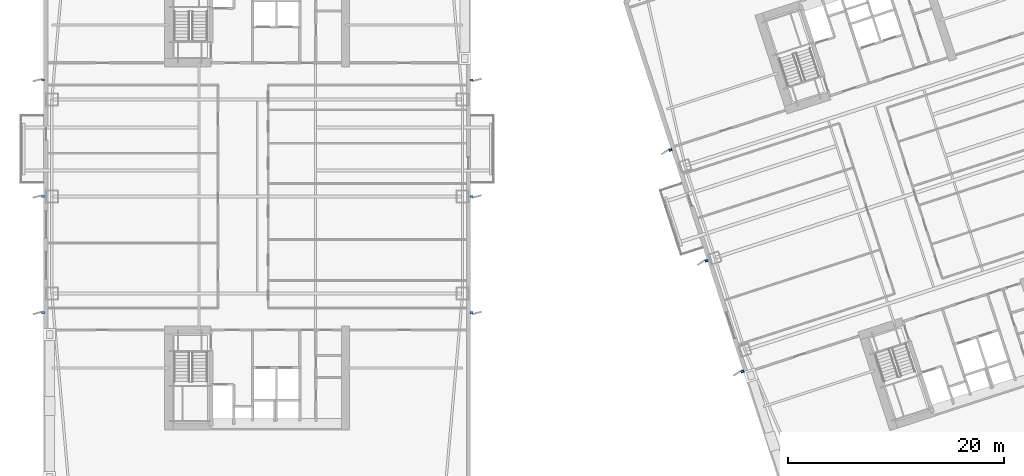
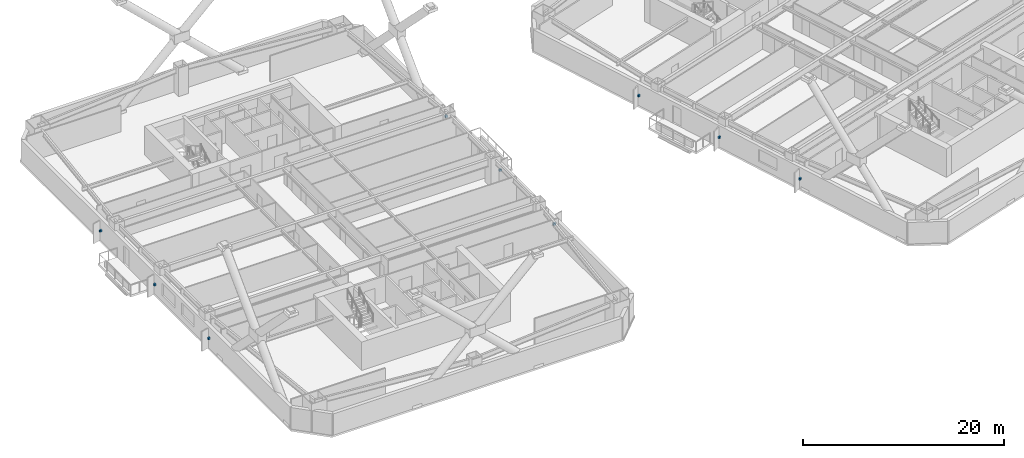
# One storey, part 11 of 18: 9 discrete accessories.
"""IFC4 building model written with IfcOpenShell, lengths in metres."""

import ifcopenshell
import ifcopenshell.guid

model = None  # the IFC model being written
_history = None  # IfcOwnerHistory: only IFC2X3 demands one
_inside = {}  # id of a spatial element -> (the spatial element, [elements in it])
_under = {}  # id of a project, library or spatial element -> (it, [spatial elements below it])
_declared = {}  # id of a project -> (the project, [libraries it declares])
_typed = {}  # id of a type object -> (the type object, [elements of that type])
_made_of = {}  # id of a material, layer set ... -> (it, [elements and type objects made of it])


def new_model(schema):
    """Start an empty IFC model of exactly this schema.

    Asked for "IFC4X3", IfcOpenShell would pick the latest addendum, in which some entities
    have other attributes; the version numbers below select the first issue.
    IFC2X3 requires an IfcOwnerHistory on every rooted entity: one is made here for all.
    """
    global model, _history
    if schema == "IFC4X3":
        model = ifcopenshell.file(schema_version=(4, 3, 0, 0))
    else:
        model = ifcopenshell.file(schema=schema)
    _inside.clear()
    _under.clear()
    _declared.clear()
    _typed.clear()
    _made_of.clear()
    _history = None
    if model.schema == "IFC2X3":
        org = make("IfcOrganization", Name="unknown")
        user = make(
            "IfcPersonAndOrganization",
            ThePerson=make("IfcPerson", FamilyName="unknown"),
            TheOrganization=org,
        )
        app = make(
            "IfcApplication",
            ApplicationDeveloper=org,
            Version="unknown",
            ApplicationFullName="unknown",
            ApplicationIdentifier="unknown",
        )
        _history = make(
            "IfcOwnerHistory",
            OwningUser=user,
            OwningApplication=app,
            ChangeAction="ADDED",
            CreationDate=0,
        )
    return model


def make(cls, **values):
    """One entity of the class cls with the attributes given. An attribute that is None is left unset."""
    return model.create_entity(
        cls, **{name: value for name, value in values.items() if value is not None}
    )


def rooted(cls, **values):
    """An entity with a GlobalId (a new one), such as an element, a storey or a relation."""
    return make(cls, GlobalId=ifcopenshell.guid.new(), OwnerHistory=_history, **values)


def si_unit(unit_type, name, prefix=None):
    """IfcSIUnit, for example si_unit("LENGTHUNIT", "METRE", prefix="MILLI")."""
    return make("IfcSIUnit", UnitType=unit_type, Prefix=prefix, Name=name)


def assignment(units):
    """IfcUnitAssignment: the units of a project."""
    return None if units is None else make("IfcUnitAssignment", Units=units)


def point(xyz):
    """IfcCartesianPoint."""
    return None if xyz is None else make("IfcCartesianPoint", Coordinates=xyz)


def direction(xyz):
    """IfcDirection."""
    return None if xyz is None else make("IfcDirection", DirectionRatios=xyz)


def frame(location, z_axis=None, x_axis=None):
    """IfcAxis2Placement3D, a coordinate frame: its origin and axes. An axis left out is left unset."""
    return make(
        "IfcAxis2Placement3D",
        Location=point(location),
        Axis=direction(z_axis),
        RefDirection=direction(x_axis),
    )


def frame_2d(location, x_axis=None):
    """IfcAxis2Placement2D, a coordinate frame in the plane: its origin and x axis."""
    return make(
        "IfcAxis2Placement2D", Location=point(location), RefDirection=direction(x_axis)
    )


def origin():
    """The frame at (0, 0, 0) with its axes left unset."""
    return frame((0.0, 0.0, 0.0))


def origin_2d():
    """The frame at (0, 0) in the plane with its x axis left unset."""
    return frame_2d((0.0, 0.0))


def place(relative_to, where):
    """IfcLocalPlacement: puts the frame where relative to a parent placement (None: the world)."""
    return make(
        "IfcLocalPlacement", PlacementRelTo=relative_to, RelativePlacement=where
    )


def context(
    kind, dimensions, precision=None, world=None, true_north=None, identifier=None
):
    """IfcGeometricRepresentationContext, for example the 3D "Model" context."""
    return make(
        "IfcGeometricRepresentationContext",
        ContextIdentifier=identifier,
        ContextType=kind,
        CoordinateSpaceDimension=dimensions,
        Precision=precision,
        WorldCoordinateSystem=world,
        TrueNorth=true_north,
    )


def subcontext(parent, identifier, kind, view, scale=None):
    """IfcGeometricRepresentationSubContext, for example "Body" below "Model"."""
    return make(
        "IfcGeometricRepresentationSubContext",
        ContextIdentifier=identifier,
        ContextType=kind,
        ParentContext=parent,
        TargetScale=scale,
        TargetView=view,
    )


def project(units=None, contexts=None):
    """IfcProject with its units and contexts."""
    return rooted(
        "IfcProject",
        Name="project",
        RepresentationContexts=contexts,
        UnitsInContext=assignment(units),
    )


def spatial(cls, under=None, at=None, **own):
    """A site, building, storey or space (cls), placed at a placement, below another one or the project."""
    s = rooted(cls, ObjectPlacement=at, **own)
    if under is not None:
        _under.setdefault(under.id(), (under, []))[1].append(s)
    return s


def profile(cls, at=None, kind="AREA", **sizes):
    """A parametric profile (cls). Its sizes go by their IFC names, for example OverallWidth=200.0."""
    return make(cls, ProfileType=kind, Position=at, **sizes)


def rectangle(**sizes):
    """IfcRectangleProfileDef."""
    return profile("IfcRectangleProfileDef", **sizes)


def extrude(swept, where, along, depth):
    """IfcExtrudedAreaSolid: the profile swept, set in the frame where, extruded along a direction by depth."""
    return make(
        "IfcExtrudedAreaSolid",
        SweptArea=swept,
        Position=where,
        ExtrudedDirection=direction(along),
        Depth=depth,
    )


def shape(context_of_items, identifier, shape_type, items):
    """IfcShapeRepresentation: the items that make up one representation, for example the "Body"."""
    return make(
        "IfcShapeRepresentation",
        ContextOfItems=context_of_items,
        RepresentationIdentifier=identifier,
        RepresentationType=shape_type,
        Items=items,
    )


def material(Name=None, Category=None):
    """IfcMaterial."""
    return make("IfcMaterial", Name=Name, Category=Category)


def made_of(thing, what):
    """Note that an element or type object is made of a material, layer set ...; save() writes the relation."""
    if what is not None:
        _made_of.setdefault(what.id(), (what, []))[1].append(thing)
    return thing


def type_object(cls, material=None, **own):
    """A type object (cls), such as IfcWallType, which elements share."""
    return made_of(rooted(cls, **own), material)


def element(
    cls,
    number,
    at=None,
    inside=None,
    cuts=None,
    type_object=None,
    material=None,
    context=None,
    identifier="Body",
    shape_type=None,
    held_by="IfcProductDefinitionShape",
    body=None,
    shapes=None,
    **own,
):
    """One element of the class cls, such as IfcWall. Its Tag is "e" and its number.

    at: its placement. inside: the storey or other place that contains it. cuts: it is an
    opening in that element (IfcRelVoidsElement). A single representation is given by context,
    identifier, shape_type and body (its items); several are given by shapes. held_by: the class
    of the entity that holds the representations. save() writes the other relations.
    """
    e = rooted(cls, Tag="e%d" % number, ObjectPlacement=at, **own)
    if body is not None:
        shapes = [shape(context, identifier, shape_type, body)]
    if shapes is not None:
        e.Representation = make(held_by, Representations=shapes)
    if inside is not None:
        _inside.setdefault(inside.id(), (inside, []))[1].append(e)
    if cuts is not None:
        rooted(
            "IfcRelVoidsElement", RelatingBuildingElement=cuts, RelatedOpeningElement=e
        )
    if type_object is not None:
        _typed.setdefault(type_object.id(), (type_object, []))[1].append(e)
    return made_of(e, material)


def aggregate(whole, parts):
    """IfcRelAggregates: a whole, such as a stair, and the parts it consists of."""
    return rooted("IfcRelAggregates", RelatingObject=whole, RelatedObjects=parts)


def save(model, path):
    """Write the relations noted so far, then the file.

    IfcRelAggregates (storeys below a building ...), IfcRelContainedInSpatialStructure (elements
    in a storey), IfcRelDefinesByType, IfcRelAssociatesMaterial and IfcRelDeclares: one each for
    every whole, place, type object, material and project.
    """
    for whole, parts in _under.values():
        aggregate(whole, parts)
    for where, things in _inside.values():
        rooted(
            "IfcRelContainedInSpatialStructure",
            RelatedElements=things,
            RelatingStructure=where,
        )
    for kind, things in _typed.values():
        rooted("IfcRelDefinesByType", RelatedObjects=things, RelatingType=kind)
    for what, things in _made_of.values():
        rooted("IfcRelAssociatesMaterial", RelatedObjects=things, RelatingMaterial=what)
    for by, libraries in _declared.values():
        rooted("IfcRelDeclares", RelatingContext=by, RelatedDefinitions=libraries)
    model.write(path)


model = new_model("IFC4")

# Units and contexts
model_context = context("Model", 3, precision=1e-05, world=origin(), true_north=direction((0.0, 1.0)))
body_context = subcontext(model_context, "Body", "Model", "MODEL_VIEW")
ifc_project = project(units=[si_unit("LENGTHUNIT", "METRE"), si_unit("AREAUNIT", "SQUARE_METRE"), si_unit("VOLUMEUNIT", "CUBIC_METRE"), si_unit("PLANEANGLEUNIT", "RADIAN"), si_unit("MASSUNIT", "GRAM", prefix="KILO")], contexts=[model_context])

# Site, building, storey
site_placement = place(None, origin())
site = spatial("IfcSite", under=ifc_project, at=site_placement, CompositionType="ELEMENT")
building_placement = place(site_placement, origin())
building = spatial("IfcBuilding", under=site, at=building_placement, Name="Qiaolan Cultural Towers", CompositionType="ELEMENT")
storey_placement = place(building_placement, frame((0.0, 0.0, 57.5)))
storey = spatial("IfcBuildingStorey", under=building, at=storey_placement, Name="L13", CompositionType="ELEMENT", Elevation=57.5)

# Discrete accessories
ifc_material = material(Name="Stainless Steel S31608 Facade Anchor Bracket", Category="steel")
discrete_accessory_type = type_object("IfcDiscreteAccessoryType", Name="ACC-BRK-SS", PredefinedType="BRACKET", material=ifc_material)
for number, where, z_axis, x_axis, name in (
    (1, (10.1201171875, 23.199951171875, 1.18505859375), (0.0, 0.0, 1.0), (1.0, 0.0, 0.0), "L13 T1 Facade Fin Anchor Bracket W1"),
    (2, (10.1201171875, 34.0, 1.18505859375), (0.0, 0.0, 1.0), (1.0, 0.0, 0.0), "L13 T1 Facade Fin Anchor Bracket W2"),
    (3, (10.1201171875, 44.800048828125, 1.18505859375), (0.0, 0.0, 1.0), (1.0, 0.0, 0.0), "L13 T1 Facade Fin Anchor Bracket W3"),
    (4, (49.8798828125, 23.199951171875, 1.18505859375), (0.0, 0.0, 1.0), (1.0, 0.0, 0.0), "L13 T1 Facade Fin Anchor Bracket E1"),
    (5, (49.8798828125, 34.0, 1.18505859375), (0.0, 0.0, 1.0), (1.0, 0.0, 0.0), "L13 T1 Facade Fin Anchor Bracket E2"),
    (6, (49.8798828125, 44.800048828125, 1.18505859375), (0.0, 0.0, 1.0), (1.0, 0.0, 0.0), "L13 T1 Facade Fin Anchor Bracket E3"),
    (7, (75.0009765625, 17.770751953125, 1.18505859375), (0.0, 0.0, 1.0), (0.951056516295, 0.309016994375, 0.0), "L13 T2 Facade Fin Anchor Bracket W1"),
    (8, (71.66357421875, 28.042236328125, 1.18505859375), (0.0, 0.0, 1.0), (0.951056516295, 0.309016994375, 0.0), "L13 T2 Facade Fin Anchor Bracket W2"),
    (9, (68.326171875, 38.3134765625, 1.18505859375), (0.0, 0.0, 1.0), (0.951056516295, 0.309016994375, 0.0), "L13 T2 Facade Fin Anchor Bracket W3"),
):
    element("IfcDiscreteAccessory", number, at=place(storey_placement, frame(where, z_axis=z_axis, x_axis=x_axis)), inside=storey, type_object=discrete_accessory_type, Name=name, PredefinedType="BRACKET", context=body_context, shape_type="SweptSolid", body=[
        extrude(rectangle(XDim=0.280029296875, YDim=0.219970703125, at=origin_2d()), origin(), (0.0, 0.0, 1.0), 0.239990234375),
    ])

save(model, "model.ifc")
